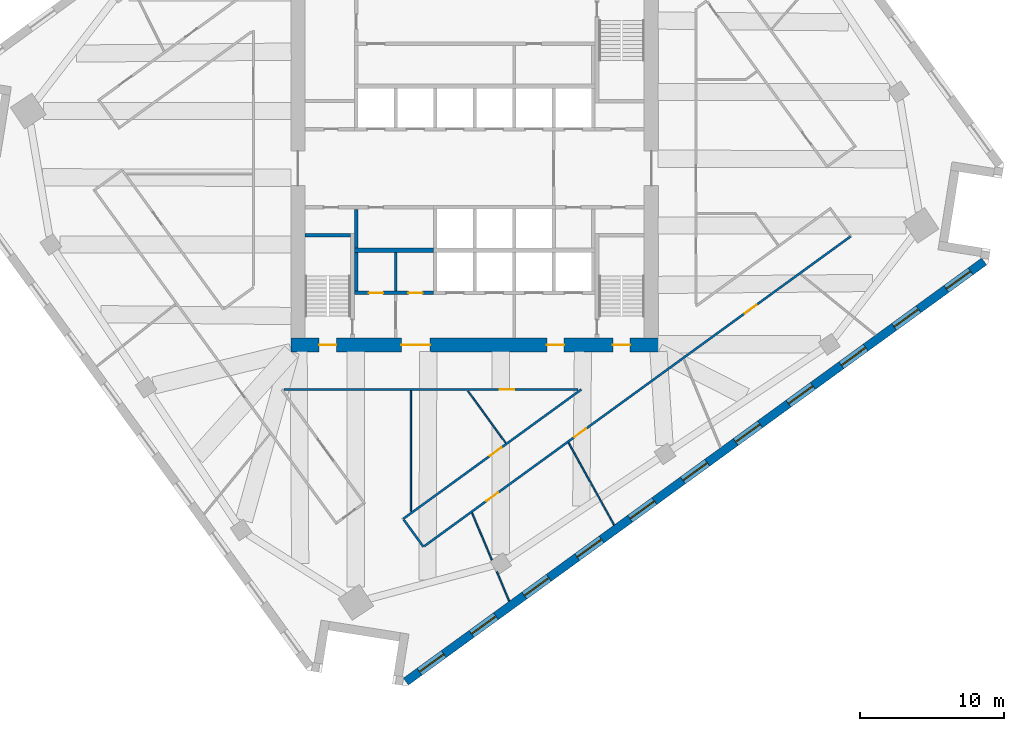
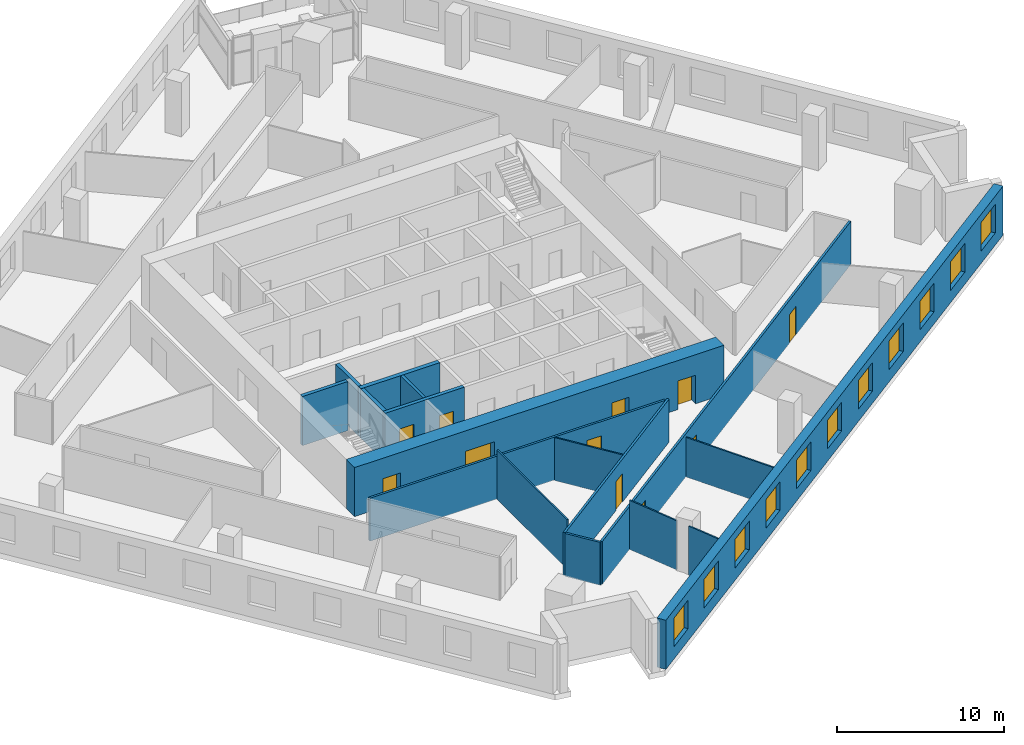
# One storey, part 5 of 11: 17 walls, 11 doors, 11 windows, 22 openings.
"""IFC4 building model written with IfcOpenShell, lengths in metres."""

from ifc_helpers import new_model, si_unit, direction, frame, frame_2d, origin, place, context, subcontext, project, spatial, rectangle, extrude, material, layer, layer_set, type_object, element, fill, save


model = new_model("IFC4")

# Units and contexts
model_context = context("Model", 3, precision=1e-05, world=origin(), true_north=direction((0.0, 1.0)))
body_context = subcontext(model_context, "Body", "Model", "MODEL_VIEW")
ifc_project = project(units=[si_unit("LENGTHUNIT", "METRE"), si_unit("AREAUNIT", "SQUARE_METRE"), si_unit("VOLUMEUNIT", "CUBIC_METRE"), si_unit("PLANEANGLEUNIT", "RADIAN"), si_unit("MASSUNIT", "GRAM", prefix="KILO")], contexts=[model_context])

# Site, building, storey
site_placement = place(None, origin())
site = spatial("IfcSite", under=ifc_project, at=site_placement, CompositionType="ELEMENT")
building_placement = place(site_placement, origin())
building = spatial("IfcBuilding", under=site, at=building_placement, Name="Dilmun Exchange Tower", CompositionType="ELEMENT")
storey_placement = place(building_placement, frame((0.0, 0.0, 163.699951171875)))
storey = spatial("IfcBuildingStorey", under=building, at=storey_placement, Name="L38", CompositionType="ELEMENT", Elevation=163.699951171875)

# Wall
ifc_material_1 = material(Name="Concrete C40/50", Category="concrete")
ifc_layer_1 = layer(ifc_material_1, 0.199951171875)
ifc_layer_set_1 = layer_set([ifc_layer_1], Name="Concrete C40/50")
wall_type_1 = type_object("IfcWallType", Name="Core partition wall 200", PredefinedType="PARTITIONING", material=ifc_layer_set_1)
wall_1_placement = place(storey_placement, frame((-5.5, -8.544921875, 0.0), z_axis=(0.0, 0.0, 1.0), x_axis=(0.0, 1.0, 0.0)))
element("IfcWall", 1, at=wall_1_placement, inside=storey, type_object=wall_type_1, Name="L38 core partition wall 05", PredefinedType="PARTITIONING", context=body_context, shape_type="SweptSolid", body=[
    extrude(rectangle(XDim=2.68994140625, YDim=0.199951171875, at=frame_2d((1.344970703125, 0.0))), origin(), (0.0, 0.0, 1.0), 3.60009765625),
])

# Wall, openings, doors
ifc_layer_2 = layer(ifc_material_1, 0.25)
ifc_layer_set_2 = layer_set([ifc_layer_2], Name="Concrete C40/50")
wall_type_2 = type_object("IfcWallType", Name="Core partition wall 250", PredefinedType="PARTITIONING", material=ifc_layer_set_2)
wall_2_placement = place(storey_placement, frame((-8.3701171875, -8.675048828125, 0.0), z_axis=(0.0, 0.0, 1.0), x_axis=(1.0, 0.0, 0.0)))
wall_2 = element("IfcWall", 2, at=wall_2_placement, inside=storey, type_object=wall_type_2, Name="L38 core partition wall 03", PredefinedType="PARTITIONING", context=body_context, shape_type="SweptSolid", body=[
    extrude(rectangle(XDim=5.490234375, YDim=0.25, at=frame_2d((2.7451171875, 0.0))), origin(), (0.0, 0.0, 1.0), 3.60009765625),
])
opening_1_placement = place(wall_2_placement, frame((0.9951171875, 0.0, 0.0)))
opening_1 = element("IfcOpeningElement", 3, at=opening_1_placement, cuts=wall_2, Name="Opening CD4", PredefinedType="OPENING", context=body_context, shape_type="SweptSolid", body=[
    extrude(rectangle(XDim=1.0, YDim=2.10009765625, at=frame_2d((0.5, 1.050048828125))), frame((0.0, 0.135009765625, 0.0), z_axis=(0.0, -1.0, 0.0), x_axis=(1.0, 0.0, 0.0)), (0.0, 0.0, 1.0), 0.27001953125),
])
opening_2_placement = place(wall_2_placement, frame((3.7451171875, 0.0, 0.0)))
opening_2 = element("IfcOpeningElement", 4, at=opening_2_placement, cuts=wall_2, Name="Opening CD4", PredefinedType="OPENING", context=body_context, shape_type="SweptSolid", body=[
    extrude(rectangle(XDim=1.0, YDim=2.10009765625, at=frame_2d((0.5, 1.050048828125))), frame((0.0, 0.135009765625, 0.0), z_axis=(0.0, -1.0, 0.0), x_axis=(1.0, 0.0, 0.0)), (0.0, 0.0, 1.0), 0.27001953125),
])
ifc_material_2 = material(Name="Fire-rated steel door set", Category="steel")
door_type_1 = type_object("IfcDoorType", Name="Core room door 1000x2100", OperationType="SINGLE_SWING_LEFT", PredefinedType="DOOR", material=ifc_material_2)
door_1_placement = place(opening_1_placement, origin())
door_1 = element("IfcDoor", 5, at=door_1_placement, inside=storey, type_object=door_type_1, Name="L38 door Male WC", OperationType="SINGLE_SWING_LEFT", OverallHeight=2.10009765625, OverallWidth=1.0, PredefinedType="DOOR", context=body_context, shape_type="SweptSolid", body=[
    extrude(rectangle(XDim=1.0, YDim=2.10009765625, at=frame_2d((0.5, 1.050048828125))), frame((0.0, 0.02490234375, 0.0), z_axis=(0.0, -1.0, 0.0), x_axis=(1.0, 0.0, 0.0)), (0.0, 0.0, 1.0), 0.050048828125),
])
fill(opening_1, door_1)
door_2_placement = place(opening_2_placement, origin())
door_2 = element("IfcDoor", 6, at=door_2_placement, inside=storey, type_object=door_type_1, Name="L38 door Female WC", OperationType="SINGLE_SWING_LEFT", OverallHeight=2.10009765625, OverallWidth=1.0, PredefinedType="DOOR", context=body_context, shape_type="SweptSolid", body=[
    extrude(rectangle(XDim=1.0, YDim=2.10009765625, at=frame_2d((0.5, 1.050048828125))), frame((0.0, 0.02490234375, 0.0), z_axis=(0.0, -1.0, 0.0), x_axis=(1.0, 0.0, 0.0)), (0.0, 0.0, 1.0), 0.050048828125),
])
fill(opening_2, door_2)

# Walls
for number, where, z_axis, x_axis, name in (
    (7, (-8.25, -8.544921875, 0.0), (0.0, 0.0, 1.0), (0.0, 1.0, 0.0), "L38 core partition wall 04"),
    (8, (-8.25, -5.544921875, 0.0), (0.0, 0.0, 1.0), (0.0, 1.0, 0.0), "L38 core partition wall 07"),
):
    element("IfcWall", number, at=place(storey_placement, frame(where, z_axis=z_axis, x_axis=x_axis)), inside=storey, type_object=wall_type_2, Name=name, PredefinedType="PARTITIONING", context=body_context, shape_type="SweptSolid", body=[
        extrude(rectangle(XDim=2.68994140625, YDim=0.25, at=frame_2d((1.344970703125, 0.0))), origin(), (0.0, 0.0, 1.0), 3.60009765625),
    ])
ifc_layer_3 = layer(ifc_material_1, 0.300048828125)
ifc_layer_set_3 = layer_set([ifc_layer_3], Name="Concrete C40/50")
wall_type_3 = type_object("IfcWallType", Name="Core partition wall 300", PredefinedType="PARTITIONING", material=ifc_layer_set_3)
wall_3_placement = place(storey_placement, frame((-8.35009765625, -5.699951171875, 0.0), z_axis=(0.0, 0.0, 1.0), x_axis=(1.0, 0.0, 0.0)))
element("IfcWall", 9, at=wall_3_placement, inside=storey, type_object=wall_type_3, Name="L38 core partition wall 06", PredefinedType="PARTITIONING", context=body_context, shape_type="SweptSolid", body=[
    extrude(rectangle(XDim=5.47021484375, YDim=0.300048828125, at=frame_2d((2.735107421875, 0.0))), origin(), (0.0, 0.0, 1.0), 3.60009765625),
])

# Wall, openings, doors
ifc_material_3 = material(Name="Concrete C70/85", Category="concrete")
ifc_layer_4 = layer(ifc_material_3, 1.0)
ifc_layer_set_4 = layer_set([ifc_layer_4], Name="Concrete C70/85")
wall_type_4 = type_object("IfcWallType", Name="Core shear wall 1000 Concrete C70/85", PredefinedType="SHEAR", material=ifc_layer_set_4)
wall_4_placement = place(storey_placement, frame((-12.800048828125, -12.300048828125, 0.0), z_axis=(0.0, 0.0, 1.0), x_axis=(1.0, 0.0, 0.0)))
wall_4 = element("IfcWall", 10, at=wall_4_placement, inside=storey, type_object=wall_type_4, Name="L38 core shear wall S", PredefinedType="SHEAR", context=body_context, shape_type="SweptSolid", body=[
    extrude(rectangle(XDim=25.60009765625, YDim=1.0, at=frame_2d((12.800048828125, 0.0))), origin(), (0.0, 0.0, 1.0), 3.60009765625),
])
opening_3_placement = place(wall_4_placement, frame((7.699951171875, 0.0, 0.0)))
opening_3 = element("IfcOpeningElement", 11, at=opening_3_placement, cuts=wall_4, Name="Opening CD2", PredefinedType="OPENING", context=body_context, shape_type="SweptSolid", body=[
    extrude(rectangle(XDim=2.0, YDim=2.10009765625, at=frame_2d((1.0, 1.050048828125))), frame((0.0, 0.510009765625, 0.0), z_axis=(0.0, -1.0, 0.0), x_axis=(1.0, 0.0, 0.0)), (0.0, 0.0, 1.0), 1.02001953125),
])
opening_4_placement = place(wall_4_placement, frame((17.824951171875, 0.0, 0.0)))
opening_4 = element("IfcOpeningElement", 12, at=opening_4_placement, cuts=wall_4, Name="Opening CD3", PredefinedType="OPENING", context=body_context, shape_type="SweptSolid", body=[
    extrude(rectangle(XDim=1.199951171875, YDim=2.10009765625, at=frame_2d((0.60009765625, 1.050048828125))), frame((0.0, 0.510009765625, 0.0), z_axis=(0.0, -1.0, 0.0), x_axis=(1.0, 0.0, 0.0)), (0.0, 0.0, 1.0), 1.02001953125),
])
opening_5_placement = place(wall_4_placement, frame((1.97509765625, 0.0, 0.0)))
opening_5 = element("IfcOpeningElement", 13, at=opening_5_placement, cuts=wall_4, Name="Opening CD3", PredefinedType="OPENING", context=body_context, shape_type="SweptSolid", body=[
    extrude(rectangle(XDim=1.199951171875, YDim=2.10009765625, at=frame_2d((0.60009765625, 1.050048828125))), frame((0.0, 0.510009765625, 0.0), z_axis=(0.0, -1.0, 0.0), x_axis=(1.0, 0.0, 0.0)), (0.0, 0.0, 1.0), 1.02001953125),
])
opening_6_placement = place(wall_4_placement, frame((22.425048828125, 0.0, 0.0)))
opening_6 = element("IfcOpeningElement", 14, at=opening_6_placement, cuts=wall_4, Name="Opening CD3", PredefinedType="OPENING", context=body_context, shape_type="SweptSolid", body=[
    extrude(rectangle(XDim=1.199951171875, YDim=2.10009765625, at=frame_2d((0.60009765625, 1.050048828125))), frame((0.0, 0.510009765625, 0.0), z_axis=(0.0, -1.0, 0.0), x_axis=(1.0, 0.0, 0.0)), (0.0, 0.0, 1.0), 1.02001953125),
])
door_type_2 = type_object("IfcDoorType", Name="Core service door 2000x2100", OperationType="DOUBLE_DOOR_DOUBLE_SWING", PredefinedType="DOOR", material=ifc_material_2)
door_3_placement = place(opening_3_placement, origin())
door_3 = element("IfcDoor", 15, at=door_3_placement, inside=storey, type_object=door_type_2, Name="L38 door South service lobby", OperationType="SINGLE_SWING_LEFT", OverallHeight=2.10009765625, OverallWidth=2.0, PredefinedType="DOOR", context=body_context, shape_type="SweptSolid", body=[
    extrude(rectangle(XDim=2.0, YDim=2.10009765625, at=frame_2d((1.0, 1.050048828125))), frame((0.0, 0.02490234375, 0.0), z_axis=(0.0, -1.0, 0.0), x_axis=(1.0, 0.0, 0.0)), (0.0, 0.0, 1.0), 0.050048828125),
])
fill(opening_3, door_3)
door_type_3 = type_object("IfcDoorType", Name="Stair exit door 1200x2100", OperationType="SINGLE_SWING_LEFT", PredefinedType="DOOR", material=ifc_material_2)
door_4_placement = place(opening_4_placement, origin())
door_4 = element("IfcDoor", 16, at=door_4_placement, inside=storey, type_object=door_type_3, Name="L38 door Fire-fighting lobby", OperationType="SINGLE_SWING_LEFT", OverallHeight=2.10009765625, OverallWidth=1.199951171875, PredefinedType="DOOR", context=body_context, shape_type="SweptSolid", body=[
    extrude(rectangle(XDim=1.199951171875, YDim=2.10009765625, at=frame_2d((0.60009765625, 1.050048828125))), frame((0.0, 0.02490234375, 0.0), z_axis=(0.0, -1.0, 0.0), x_axis=(1.0, 0.0, 0.0)), (0.0, 0.0, 1.0), 0.050048828125),
])
fill(opening_4, door_4)
door_5_placement = place(opening_5_placement, origin())
door_5 = element("IfcDoor", 17, at=door_5_placement, inside=storey, type_object=door_type_3, Name="L38 door Stair ST2", OperationType="SINGLE_SWING_LEFT", OverallHeight=2.10009765625, OverallWidth=1.199951171875, PredefinedType="DOOR", context=body_context, shape_type="SweptSolid", body=[
    extrude(rectangle(XDim=1.199951171875, YDim=2.10009765625, at=frame_2d((0.60009765625, 1.050048828125))), frame((0.0, 0.02490234375, 0.0), z_axis=(0.0, -1.0, 0.0), x_axis=(1.0, 0.0, 0.0)), (0.0, 0.0, 1.0), 0.050048828125),
])
fill(opening_5, door_5)
door_6_placement = place(opening_6_placement, origin())
door_6 = element("IfcDoor", 18, at=door_6_placement, inside=storey, type_object=door_type_3, Name="L38 door Stair ST3", OperationType="SINGLE_SWING_LEFT", OverallHeight=2.10009765625, OverallWidth=1.199951171875, PredefinedType="DOOR", context=body_context, shape_type="SweptSolid", body=[
    extrude(rectangle(XDim=1.199951171875, YDim=2.10009765625, at=frame_2d((0.60009765625, 1.050048828125))), frame((0.0, 0.02490234375, 0.0), z_axis=(0.0, -1.0, 0.0), x_axis=(1.0, 0.0, 0.0)), (0.0, 0.0, 1.0), 0.050048828125),
])
fill(opening_6, door_6)

# Wall, opening, door
ifc_material_4 = material(Name="Corridor wall 150")
ifc_layer_5 = layer(ifc_material_4, 0.14990234375)
ifc_layer_set_5 = layer_set([ifc_layer_5], Name="Corridor wall 150")
wall_type_5 = type_object("IfcWallType", Name="Corridor wall 150", PredefinedType="PARTITIONING", material=ifc_layer_set_5)
wall_5_placement = place(storey_placement, frame((-13.288818359375, -15.39990234375, 0.0), z_axis=(0.0, 0.0, 1.0), x_axis=(1.0, 0.0, 0.0)))
wall_5 = element("IfcWall", 19, at=wall_5_placement, inside=storey, type_object=wall_type_5, Name="Corridor wall", PredefinedType="PARTITIONING", context=body_context, shape_type="SweptSolid", body=[
    extrude(rectangle(XDim=20.47998046875, YDim=0.14990234375, at=frame_2d((10.239990234375, 0.0))), origin(), (0.0, 0.0, 1.0), 3.150146484375),
])
opening_7_placement = place(wall_5_placement, frame((15.041259765625, 0.0, 0.0)))
opening_7 = element("IfcOpeningElement", 20, at=opening_7_placement, cuts=wall_5, Name="Opening TF38-D11", PredefinedType="OPENING", context=body_context, shape_type="SweptSolid", body=[
    extrude(rectangle(XDim=1.0, YDim=2.10009765625, at=frame_2d((0.5, 1.050048828125))), frame((0.0, 0.0849609375, 0.0), z_axis=(0.0, -1.0, 0.0), x_axis=(1.0, 0.0, 0.0)), (0.0, 0.0, 1.0), 0.169921875),
])
ifc_material_5 = material(Name="Fire door 1000 x 2100")
door_type_4 = type_object("IfcDoorType", Name="Fire door 1000 x 2100", OperationType="NOTDEFINED", PredefinedType="DOOR", material=ifc_material_5)
door_7_placement = place(opening_7_placement, frame((1.0, 0.0, 0.0), z_axis=(0.0, 0.0, 1.0), x_axis=(-1.0, 0.0, 0.0)))
door_7 = element("IfcDoor", 21, at=door_7_placement, inside=storey, type_object=door_type_4, Name="Door TF38-D11", OperationType="SINGLE_SWING_LEFT", OverallHeight=2.10009765625, OverallWidth=1.0, PredefinedType="DOOR", context=body_context, shape_type="SweptSolid", body=[
    extrude(rectangle(XDim=1.0, YDim=2.10009765625, at=frame_2d((0.5, 1.050048828125))), frame((0.0, 0.02490234375, 0.0), z_axis=(0.0, -1.0, 0.0), x_axis=(1.0, 0.0, 0.0)), (0.0, 0.0, 1.0), 0.050048828125),
])
fill(opening_7, door_7)

wall_6_placement = place(storey_placement, frame((-4.97998046875, -24.410888671875, 0.0), z_axis=(0.0, 0.0, 1.0), x_axis=(0.809006648498, 0.587799491907, 0.0)))
wall_6 = element("IfcWall", 22, at=wall_6_placement, inside=storey, type_object=wall_type_5, Name="Corridor wall", PredefinedType="PARTITIONING", context=body_context, shape_type="SweptSolid", body=[
    extrude(rectangle(XDim=15.330078125, YDim=0.14990234375, at=frame_2d((7.6650390625, 0.0))), origin(), (0.0, 0.0, 1.0), 3.150146484375),
])
opening_8_placement = place(wall_6_placement, frame((7.46435546875, 0.0, 0.0)))
opening_8 = element("IfcOpeningElement", 23, at=opening_8_placement, cuts=wall_6, Name="Opening TF38-D09", PredefinedType="OPENING", context=body_context, shape_type="SweptSolid", body=[
    extrude(rectangle(XDim=1.0, YDim=2.10009765625, at=frame_2d((0.5, 1.050048828125))), frame((0.0, 0.0849609375, 0.0), z_axis=(0.0, -1.0, 0.0), x_axis=(1.0, 0.0, 0.0)), (0.0, 0.0, 1.0), 0.169921875),
])
door_8_placement = place(opening_8_placement, origin())
door_8 = element("IfcDoor", 24, at=door_8_placement, inside=storey, type_object=door_type_4, Name="Door TF38-D09", OperationType="SINGLE_SWING_RIGHT", OverallHeight=2.10009765625, OverallWidth=1.0, PredefinedType="DOOR", context=body_context, shape_type="SweptSolid", body=[
    extrude(rectangle(XDim=1.0, YDim=2.10009765625, at=frame_2d((0.5, 1.050048828125))), frame((0.0, 0.02490234375, 0.0), z_axis=(0.0, -1.0, 0.0), x_axis=(1.0, 0.0, 0.0)), (0.0, 0.0, 1.0), 0.050048828125),
])
fill(opening_8, door_8)

# Wall
wall_7_placement = place(storey_placement, frame((-4.935791015625, -24.4716796875, 0.0), z_axis=(0.0, 0.0, 1.0), x_axis=(0.5874596315, -0.809253471638, 0.0)))
element("IfcWall", 25, at=wall_7_placement, inside=storey, type_object=wall_type_5, Name="Corridor wall", PredefinedType="PARTITIONING", context=body_context, shape_type="SweptSolid", body=[
    extrude(rectangle(XDim=2.32470703125, YDim=0.14990234375, at=frame_2d((1.162353515625, 0.0))), origin(), (0.0, 0.0, 1.0), 3.150146484375),
])

# Wall, openings, doors
wall_8_placement = place(storey_placement, frame((-3.50927734375, -26.308837890625, 0.0), z_axis=(0.0, 0.0, 1.0), x_axis=(0.809024097608, 0.587775475407, 0.0)))
wall_8 = element("IfcWall", 26, at=wall_8_placement, inside=storey, type_object=wall_type_5, Name="Corridor wall", PredefinedType="PARTITIONING", context=body_context, shape_type="SweptSolid", body=[
    extrude(rectangle(XDim=36.680419921875, YDim=0.14990234375, at=frame_2d((18.34033203125, 0.0))), origin(), (0.0, 0.0, 1.0), 3.150146484375),
])
opening_9_placement = place(wall_8_placement, frame((5.361328125, 0.0, 0.0)))
opening_9 = element("IfcOpeningElement", 27, at=opening_9_placement, cuts=wall_8, Name="Opening TF38-D12", PredefinedType="OPENING", context=body_context, shape_type="SweptSolid", body=[
    extrude(rectangle(XDim=1.0, YDim=2.10009765625, at=frame_2d((0.5, 1.050048828125))), frame((0.0, 0.0849609375, 0.0), z_axis=(0.0, -1.0, 0.0), x_axis=(1.0, 0.0, 0.0)), (0.0, 0.0, 1.0), 0.169921875),
])
opening_10_placement = place(wall_8_placement, frame((12.9130859375, 0.0, 0.0)))
opening_10 = element("IfcOpeningElement", 28, at=opening_10_placement, cuts=wall_8, Name="Opening TF38-D15", PredefinedType="OPENING", context=body_context, shape_type="SweptSolid", body=[
    extrude(rectangle(XDim=1.0, YDim=2.10009765625, at=frame_2d((0.5, 1.050048828125))), frame((0.0, 0.0849609375, 0.0), z_axis=(0.0, -1.0, 0.0), x_axis=(1.0, 0.0, 0.0)), (0.0, 0.0, 1.0), 0.169921875),
])
opening_11_placement = place(wall_8_placement, frame((27.57568359375, 0.0, 0.0)))
opening_11 = element("IfcOpeningElement", 29, at=opening_11_placement, cuts=wall_8, Name="Opening TF38-D18", PredefinedType="OPENING", context=body_context, shape_type="SweptSolid", body=[
    extrude(rectangle(XDim=1.0, YDim=2.10009765625, at=frame_2d((0.5, 1.050048828125))), frame((0.0, 0.0849609375, 0.0), z_axis=(0.0, -1.0, 0.0), x_axis=(1.0, 0.0, 0.0)), (0.0, 0.0, 1.0), 0.169921875),
])
door_9_placement = place(opening_9_placement, frame((1.0, 0.0, 0.0), z_axis=(0.0, 0.0, 1.0), x_axis=(-1.0, 0.0, 0.0)))
door_9 = element("IfcDoor", 30, at=door_9_placement, inside=storey, type_object=door_type_4, Name="Door TF38-D12", OperationType="SINGLE_SWING_LEFT", OverallHeight=2.10009765625, OverallWidth=1.0, PredefinedType="DOOR", context=body_context, shape_type="SweptSolid", body=[
    extrude(rectangle(XDim=1.0, YDim=2.10009765625, at=frame_2d((0.5, 1.050048828125))), frame((0.0, 0.02490234375, 0.0), z_axis=(0.0, -1.0, 0.0), x_axis=(1.0, 0.0, 0.0)), (0.0, 0.0, 1.0), 0.050048828125),
])
fill(opening_9, door_9)
door_10_placement = place(opening_10_placement, frame((1.0, 0.0, 0.0), z_axis=(0.0, 0.0, 1.0), x_axis=(-1.0, 0.0, 0.0)))
door_10 = element("IfcDoor", 31, at=door_10_placement, inside=storey, type_object=door_type_4, Name="Door TF38-D15", OperationType="SINGLE_SWING_RIGHT", OverallHeight=2.10009765625, OverallWidth=1.0, PredefinedType="DOOR", context=body_context, shape_type="SweptSolid", body=[
    extrude(rectangle(XDim=1.0, YDim=2.10009765625, at=frame_2d((0.5, 1.050048828125))), frame((0.0, 0.02490234375, 0.0), z_axis=(0.0, -1.0, 0.0), x_axis=(1.0, 0.0, 0.0)), (0.0, 0.0, 1.0), 0.050048828125),
])
fill(opening_10, door_10)
door_11_placement = place(opening_11_placement, frame((1.0, 0.0, 0.0), z_axis=(0.0, 0.0, 1.0), x_axis=(-1.0, 0.0, 0.0)))
door_11 = element("IfcDoor", 32, at=door_11_placement, inside=storey, type_object=door_type_4, Name="Door TF38-D18", OperationType="SINGLE_SWING_RIGHT", OverallHeight=2.10009765625, OverallWidth=1.0, PredefinedType="DOOR", context=body_context, shape_type="SweptSolid", body=[
    extrude(rectangle(XDim=1.0, YDim=2.10009765625, at=frame_2d((0.5, 1.050048828125))), frame((0.0, 0.02490234375, 0.0), z_axis=(0.0, -1.0, 0.0), x_axis=(1.0, 0.0, 0.0)), (0.0, 0.0, 1.0), 0.050048828125),
])
fill(opening_11, door_11)

# Walls
ifc_material_6 = material(Name="Partition 100")
ifc_layer_6 = layer(ifc_material_6, 0.10009765625)
ifc_layer_set_6 = layer_set([ifc_layer_6], Name="Partition 100")
wall_type_6 = type_object("IfcWallType", Name="Partition 100", PredefinedType="PARTITIONING", material=ifc_layer_set_6)
wall_9_placement = place(storey_placement, frame((-4.443115234375, -23.89208984375, 0.0), z_axis=(0.0, 0.0, 1.0), x_axis=(0.0, 1.0, 0.0)))
element("IfcWall", 33, at=wall_9_placement, inside=storey, type_object=wall_type_6, Name="Partition", PredefinedType="PARTITIONING", context=body_context, shape_type="SweptSolid", body=[
    extrude(rectangle(XDim=8.4169921875, YDim=0.10009765625, at=frame_2d((4.20849609375, 0.0))), origin(), (0.0, 0.0, 1.0), 3.60009765625),
])
wall_10_placement = place(storey_placement, frame((-0.47216796875, -15.50439453125, 0.0), z_axis=(0.0, 0.0, 1.0), x_axis=(0.587831486694, -0.808983401097, 0.0)))
element("IfcWall", 34, at=wall_10_placement, inside=storey, type_object=wall_type_6, Name="Partition", PredefinedType="PARTITIONING", context=body_context, shape_type="SweptSolid", body=[
    extrude(rectangle(XDim=4.48095703125, YDim=0.10009765625, at=frame_2d((2.240478515625, 0.0))), origin(), (0.0, 0.0, 1.0), 3.150146484375),
])
wall_11_placement = place(storey_placement, frame((-0.181640625, -23.997802734375, 0.0), z_axis=(0.0, 0.0, 1.0), x_axis=(0.388072383156, -0.921628897893, 0.0)))
element("IfcWall", 35, at=wall_11_placement, inside=storey, type_object=wall_type_6, Name="Partition", PredefinedType="PARTITIONING", context=body_context, shape_type="SweptSolid", body=[
    extrude(rectangle(XDim=3.547607421875, YDim=0.10009765625, at=frame_2d((1.77392578125, 0.0))), origin(), (0.0, 0.0, 1.0), 3.60009765625),
])
wall_12_placement = place(storey_placement, frame((1.541015625, -28.089111328125, 0.0), z_axis=(0.0, 0.0, 1.0), x_axis=(0.388007971135, -0.92165601736, 0.0)))
element("IfcWall", 36, at=wall_12_placement, inside=storey, type_object=wall_type_6, Name="Partition", PredefinedType="PARTITIONING", context=body_context, shape_type="SweptSolid", body=[
    extrude(rectangle(XDim=2.22607421875, YDim=0.10009765625, at=frame_2d((1.113037109375, 0.0))), origin(), (0.0, 0.0, 1.0), 3.60009765625),
])
wall_13_placement = place(storey_placement, frame((6.53662109375, -19.110595703125, 0.0), z_axis=(0.0, 0.0, 1.0), x_axis=(0.484305684631, -0.874898853488, 0.0)))
element("IfcWall", 37, at=wall_13_placement, inside=storey, type_object=wall_type_6, Name="Partition", PredefinedType="PARTITIONING", context=body_context, shape_type="SweptSolid", body=[
    extrude(rectangle(XDim=6.544189453125, YDim=0.10009765625, at=frame_2d((3.27197265625, 0.0))), origin(), (0.0, 0.0, 1.0), 2.900146484375),
])

# Wall, openings, windows
ifc_material_7 = material(Name="Precast concrete C50/60", Category="concrete")
ifc_layer_7 = layer(ifc_material_7, 0.60009765625)
ifc_layer_set_7 = layer_set([ifc_layer_7], Name="Precast concrete C50/60")
wall_type_7 = type_object("IfcWallType", Name="Precast stone-clad wall 600", PredefinedType="STANDARD", material=ifc_layer_set_7)
wall_14_placement = place(storey_placement, frame((-4.78369140625, -35.73681640625, 0.0), z_axis=(0.0, 0.0, 1.0), x_axis=(0.809019283075, 0.587782102154, 0.0)))
wall_14 = element("IfcWall", 38, at=wall_14_placement, inside=storey, type_object=wall_type_7, Name="Facade wall L38-15", PredefinedType="STANDARD", context=body_context, shape_type="SweptSolid", body=[
    extrude(rectangle(XDim=49.751220703125, YDim=0.60009765625, at=frame_2d((24.87548828125, 0.0))), origin(), (0.0, 0.0, 1.0), 3.60009765625),
])
opening_12_placement = place(wall_14_placement, frame((1.16064453125, 0.0, 0.89990234375)))
opening_12 = element("IfcOpeningElement", 39, at=opening_12_placement, cuts=wall_14, Name="Opening W210-210", PredefinedType="OPENING", context=body_context, shape_type="SweptSolid", body=[
    extrude(rectangle(XDim=2.10009765625, YDim=2.10009765625, at=frame_2d((1.050048828125, 1.050048828125))), frame((0.0, 0.31005859375, 0.0), z_axis=(0.0, -1.0, 0.0), x_axis=(1.0, 0.0, 0.0)), (0.0, 0.0, 1.0), 0.6201171875),
])
opening_13_placement = place(wall_14_placement, frame((5.643798828125, 0.0, 0.89990234375)))
opening_13 = element("IfcOpeningElement", 40, at=opening_13_placement, cuts=wall_14, Name="Opening W210-210", PredefinedType="OPENING", context=body_context, shape_type="SweptSolid", body=[
    extrude(rectangle(XDim=2.10009765625, YDim=2.10009765625, at=frame_2d((1.050048828125, 1.050048828125))), frame((0.0, 0.31005859375, 0.0), z_axis=(0.0, -1.0, 0.0), x_axis=(1.0, 0.0, 0.0)), (0.0, 0.0, 1.0), 0.6201171875),
])
opening_14_placement = place(wall_14_placement, frame((10.189453125, 0.0, 0.89990234375)))
opening_14 = element("IfcOpeningElement", 41, at=opening_14_placement, cuts=wall_14, Name="Opening W210-210", PredefinedType="OPENING", context=body_context, shape_type="SweptSolid", body=[
    extrude(rectangle(XDim=2.10009765625, YDim=2.10009765625, at=frame_2d((1.050048828125, 1.050048828125))), frame((0.0, 0.31005859375, 0.0), z_axis=(0.0, -1.0, 0.0), x_axis=(1.0, 0.0, 0.0)), (0.0, 0.0, 1.0), 0.6201171875),
])
opening_15_placement = place(wall_14_placement, frame((14.73486328125, 0.0, 0.89990234375)))
opening_15 = element("IfcOpeningElement", 42, at=opening_15_placement, cuts=wall_14, Name="Opening W210-210", PredefinedType="OPENING", context=body_context, shape_type="SweptSolid", body=[
    extrude(rectangle(XDim=2.10009765625, YDim=2.10009765625, at=frame_2d((1.050048828125, 1.050048828125))), frame((0.0, 0.31005859375, 0.0), z_axis=(0.0, -1.0, 0.0), x_axis=(1.0, 0.0, 0.0)), (0.0, 0.0, 1.0), 0.6201171875),
])
opening_16_placement = place(wall_14_placement, frame((19.2802734375, 0.0, 0.89990234375)))
opening_16 = element("IfcOpeningElement", 43, at=opening_16_placement, cuts=wall_14, Name="Opening W210-210", PredefinedType="OPENING", context=body_context, shape_type="SweptSolid", body=[
    extrude(rectangle(XDim=2.10009765625, YDim=2.10009765625, at=frame_2d((1.050048828125, 1.050048828125))), frame((0.0, 0.31005859375, 0.0), z_axis=(0.0, -1.0, 0.0), x_axis=(1.0, 0.0, 0.0)), (0.0, 0.0, 1.0), 0.6201171875),
])
opening_17_placement = place(wall_14_placement, frame((23.82568359375, 0.0, 0.89990234375)))
opening_17 = element("IfcOpeningElement", 44, at=opening_17_placement, cuts=wall_14, Name="Opening W210-210", PredefinedType="OPENING", context=body_context, shape_type="SweptSolid", body=[
    extrude(rectangle(XDim=2.10009765625, YDim=2.10009765625, at=frame_2d((1.050048828125, 1.050048828125))), frame((0.0, 0.31005859375, 0.0), z_axis=(0.0, -1.0, 0.0), x_axis=(1.0, 0.0, 0.0)), (0.0, 0.0, 1.0), 0.6201171875),
])
opening_18_placement = place(wall_14_placement, frame((28.37109375, 0.0, 0.89990234375)))
opening_18 = element("IfcOpeningElement", 45, at=opening_18_placement, cuts=wall_14, Name="Opening W210-210", PredefinedType="OPENING", context=body_context, shape_type="SweptSolid", body=[
    extrude(rectangle(XDim=2.10009765625, YDim=2.10009765625, at=frame_2d((1.050048828125, 1.050048828125))), frame((0.0, 0.31005859375, 0.0), z_axis=(0.0, -1.0, 0.0), x_axis=(1.0, 0.0, 0.0)), (0.0, 0.0, 1.0), 0.6201171875),
])
opening_19_placement = place(wall_14_placement, frame((32.91650390625, 0.0, 0.89990234375)))
opening_19 = element("IfcOpeningElement", 46, at=opening_19_placement, cuts=wall_14, Name="Opening W210-210", PredefinedType="OPENING", context=body_context, shape_type="SweptSolid", body=[
    extrude(rectangle(XDim=2.10009765625, YDim=2.10009765625, at=frame_2d((1.050048828125, 1.050048828125))), frame((0.0, 0.31005859375, 0.0), z_axis=(0.0, -1.0, 0.0), x_axis=(1.0, 0.0, 0.0)), (0.0, 0.0, 1.0), 0.6201171875),
])
opening_20_placement = place(wall_14_placement, frame((37.462158203125, 0.0, 0.89990234375)))
opening_20 = element("IfcOpeningElement", 47, at=opening_20_placement, cuts=wall_14, Name="Opening W210-210", PredefinedType="OPENING", context=body_context, shape_type="SweptSolid", body=[
    extrude(rectangle(XDim=2.10009765625, YDim=2.10009765625, at=frame_2d((1.050048828125, 1.050048828125))), frame((0.0, 0.31005859375, 0.0), z_axis=(0.0, -1.0, 0.0), x_axis=(1.0, 0.0, 0.0)), (0.0, 0.0, 1.0), 0.6201171875),
])
opening_21_placement = place(wall_14_placement, frame((42.007568359375, 0.0, 0.89990234375)))
opening_21 = element("IfcOpeningElement", 48, at=opening_21_placement, cuts=wall_14, Name="Opening W210-210", PredefinedType="OPENING", context=body_context, shape_type="SweptSolid", body=[
    extrude(rectangle(XDim=2.10009765625, YDim=2.10009765625, at=frame_2d((1.050048828125, 1.050048828125))), frame((0.0, 0.31005859375, 0.0), z_axis=(0.0, -1.0, 0.0), x_axis=(1.0, 0.0, 0.0)), (0.0, 0.0, 1.0), 0.6201171875),
])
opening_22_placement = place(wall_14_placement, frame((46.490966796875, 0.0, 0.89990234375)))
opening_22 = element("IfcOpeningElement", 49, at=opening_22_placement, cuts=wall_14, Name="Opening W210-210", PredefinedType="OPENING", context=body_context, shape_type="SweptSolid", body=[
    extrude(rectangle(XDim=2.10009765625, YDim=2.10009765625, at=frame_2d((1.050048828125, 1.050048828125))), frame((0.0, 0.31005859375, 0.0), z_axis=(0.0, -1.0, 0.0), x_axis=(1.0, 0.0, 0.0)), (0.0, 0.0, 1.0), 0.6201171875),
])
ifc_material_8 = material(Name="Clear low-emissivity glass in aluminium frame", Category="aluminium")
window_type = type_object("IfcWindowType", Name="Punched window 2100 x 2100", PartitioningType="DOUBLE_PANEL_VERTICAL", PredefinedType="WINDOW", material=ifc_material_8)
window_1_placement = place(opening_12_placement, origin())
window_1 = element("IfcWindow", 50, at=window_1_placement, inside=storey, type_object=window_type, Name="Window 16.1", OverallHeight=2.10009765625, OverallWidth=2.10009765625, PartitioningType="SINGLE_PANEL", PredefinedType="WINDOW", context=body_context, shape_type="SweptSolid", body=[
    extrude(rectangle(XDim=2.10009765625, YDim=2.10009765625, at=frame_2d((1.050048828125, 1.050048828125))), frame((0.0, 0.030029296875, 0.0), z_axis=(0.0, -1.0, 0.0), x_axis=(1.0, 0.0, 0.0)), (0.0, 0.0, 1.0), 0.06005859375),
])
fill(opening_12, window_1)
window_2_placement = place(opening_13_placement, origin())
window_2 = element("IfcWindow", 51, at=window_2_placement, inside=storey, type_object=window_type, Name="Window 16.2", OverallHeight=2.10009765625, OverallWidth=2.10009765625, PartitioningType="SINGLE_PANEL", PredefinedType="WINDOW", context=body_context, shape_type="SweptSolid", body=[
    extrude(rectangle(XDim=2.10009765625, YDim=2.10009765625, at=frame_2d((1.050048828125, 1.050048828125))), frame((0.0, 0.030029296875, 0.0), z_axis=(0.0, -1.0, 0.0), x_axis=(1.0, 0.0, 0.0)), (0.0, 0.0, 1.0), 0.06005859375),
])
fill(opening_13, window_2)
window_3_placement = place(opening_14_placement, origin())
window_3 = element("IfcWindow", 52, at=window_3_placement, inside=storey, type_object=window_type, Name="Window 16.3", OverallHeight=2.10009765625, OverallWidth=2.10009765625, PartitioningType="SINGLE_PANEL", PredefinedType="WINDOW", context=body_context, shape_type="SweptSolid", body=[
    extrude(rectangle(XDim=2.10009765625, YDim=2.10009765625, at=frame_2d((1.050048828125, 1.050048828125))), frame((0.0, 0.030029296875, 0.0), z_axis=(0.0, -1.0, 0.0), x_axis=(1.0, 0.0, 0.0)), (0.0, 0.0, 1.0), 0.06005859375),
])
fill(opening_14, window_3)
window_4_placement = place(opening_15_placement, origin())
window_4 = element("IfcWindow", 53, at=window_4_placement, inside=storey, type_object=window_type, Name="Window 16.4", OverallHeight=2.10009765625, OverallWidth=2.10009765625, PartitioningType="SINGLE_PANEL", PredefinedType="WINDOW", context=body_context, shape_type="SweptSolid", body=[
    extrude(rectangle(XDim=2.10009765625, YDim=2.10009765625, at=frame_2d((1.050048828125, 1.050048828125))), frame((0.0, 0.030029296875, 0.0), z_axis=(0.0, -1.0, 0.0), x_axis=(1.0, 0.0, 0.0)), (0.0, 0.0, 1.0), 0.06005859375),
])
fill(opening_15, window_4)
window_5_placement = place(opening_16_placement, origin())
window_5 = element("IfcWindow", 54, at=window_5_placement, inside=storey, type_object=window_type, Name="Window 16.5", OverallHeight=2.10009765625, OverallWidth=2.10009765625, PartitioningType="SINGLE_PANEL", PredefinedType="WINDOW", context=body_context, shape_type="SweptSolid", body=[
    extrude(rectangle(XDim=2.10009765625, YDim=2.10009765625, at=frame_2d((1.050048828125, 1.050048828125))), frame((0.0, 0.030029296875, 0.0), z_axis=(0.0, -1.0, 0.0), x_axis=(1.0, 0.0, 0.0)), (0.0, 0.0, 1.0), 0.06005859375),
])
fill(opening_16, window_5)
window_6_placement = place(opening_17_placement, origin())
window_6 = element("IfcWindow", 55, at=window_6_placement, inside=storey, type_object=window_type, Name="Window 16.6", OverallHeight=2.10009765625, OverallWidth=2.10009765625, PartitioningType="SINGLE_PANEL", PredefinedType="WINDOW", context=body_context, shape_type="SweptSolid", body=[
    extrude(rectangle(XDim=2.10009765625, YDim=2.10009765625, at=frame_2d((1.050048828125, 1.050048828125))), frame((0.0, 0.030029296875, 0.0), z_axis=(0.0, -1.0, 0.0), x_axis=(1.0, 0.0, 0.0)), (0.0, 0.0, 1.0), 0.06005859375),
])
fill(opening_17, window_6)
window_7_placement = place(opening_18_placement, origin())
window_7 = element("IfcWindow", 56, at=window_7_placement, inside=storey, type_object=window_type, Name="Window 16.7", OverallHeight=2.10009765625, OverallWidth=2.10009765625, PartitioningType="SINGLE_PANEL", PredefinedType="WINDOW", context=body_context, shape_type="SweptSolid", body=[
    extrude(rectangle(XDim=2.10009765625, YDim=2.10009765625, at=frame_2d((1.050048828125, 1.050048828125))), frame((0.0, 0.030029296875, 0.0), z_axis=(0.0, -1.0, 0.0), x_axis=(1.0, 0.0, 0.0)), (0.0, 0.0, 1.0), 0.06005859375),
])
fill(opening_18, window_7)
window_8_placement = place(opening_19_placement, origin())
window_8 = element("IfcWindow", 57, at=window_8_placement, inside=storey, type_object=window_type, Name="Window 16.8", OverallHeight=2.10009765625, OverallWidth=2.10009765625, PartitioningType="SINGLE_PANEL", PredefinedType="WINDOW", context=body_context, shape_type="SweptSolid", body=[
    extrude(rectangle(XDim=2.10009765625, YDim=2.10009765625, at=frame_2d((1.050048828125, 1.050048828125))), frame((0.0, 0.030029296875, 0.0), z_axis=(0.0, -1.0, 0.0), x_axis=(1.0, 0.0, 0.0)), (0.0, 0.0, 1.0), 0.06005859375),
])
fill(opening_19, window_8)
window_9_placement = place(opening_20_placement, origin())
window_9 = element("IfcWindow", 58, at=window_9_placement, inside=storey, type_object=window_type, Name="Window 16.9", OverallHeight=2.10009765625, OverallWidth=2.10009765625, PartitioningType="SINGLE_PANEL", PredefinedType="WINDOW", context=body_context, shape_type="SweptSolid", body=[
    extrude(rectangle(XDim=2.10009765625, YDim=2.10009765625, at=frame_2d((1.050048828125, 1.050048828125))), frame((0.0, 0.030029296875, 0.0), z_axis=(0.0, -1.0, 0.0), x_axis=(1.0, 0.0, 0.0)), (0.0, 0.0, 1.0), 0.06005859375),
])
fill(opening_20, window_9)
window_10_placement = place(opening_21_placement, origin())
window_10 = element("IfcWindow", 59, at=window_10_placement, inside=storey, type_object=window_type, Name="Window 16.10", OverallHeight=2.10009765625, OverallWidth=2.10009765625, PartitioningType="SINGLE_PANEL", PredefinedType="WINDOW", context=body_context, shape_type="SweptSolid", body=[
    extrude(rectangle(XDim=2.10009765625, YDim=2.10009765625, at=frame_2d((1.050048828125, 1.050048828125))), frame((0.0, 0.030029296875, 0.0), z_axis=(0.0, -1.0, 0.0), x_axis=(1.0, 0.0, 0.0)), (0.0, 0.0, 1.0), 0.06005859375),
])
fill(opening_21, window_10)
window_11_placement = place(opening_22_placement, origin())
window_11 = element("IfcWindow", 60, at=window_11_placement, inside=storey, type_object=window_type, Name="Window 16.11", OverallHeight=2.10009765625, OverallWidth=2.10009765625, PartitioningType="SINGLE_PANEL", PredefinedType="WINDOW", context=body_context, shape_type="SweptSolid", body=[
    extrude(rectangle(XDim=2.10009765625, YDim=2.10009765625, at=frame_2d((1.050048828125, 1.050048828125))), frame((0.0, 0.030029296875, 0.0), z_axis=(0.0, -1.0, 0.0), x_axis=(1.0, 0.0, 0.0)), (0.0, 0.0, 1.0), 0.06005859375),
])
fill(opening_22, window_11)

# Wall
ifc_layer_8 = layer(ifc_material_1, 0.25)
ifc_layer_set_8 = layer_set([ifc_layer_8], Name="Concrete C40/50")
wall_type_8 = type_object("IfcWallType", Name="Stair end wall 250", PredefinedType="SOLIDWALL", material=ifc_layer_set_8)
wall_15_placement = place(storey_placement, frame((-8.64990234375, -4.675048828125, 0.0), z_axis=(0.0, 0.0, 1.0), x_axis=(-1.0, 0.0, 0.0)))
element("IfcWall", 61, at=wall_15_placement, inside=storey, type_object=wall_type_8, Name="L38 ST2 far wall", PredefinedType="SOLIDWALL", context=body_context, shape_type="SweptSolid", body=[
    extrude(rectangle(XDim=3.150146484375, YDim=0.25, at=frame_2d((1.5751953125, 0.0))), origin(), (0.0, 0.0, 1.0), 3.60009765625),
])

save(model, "model.ifc")
